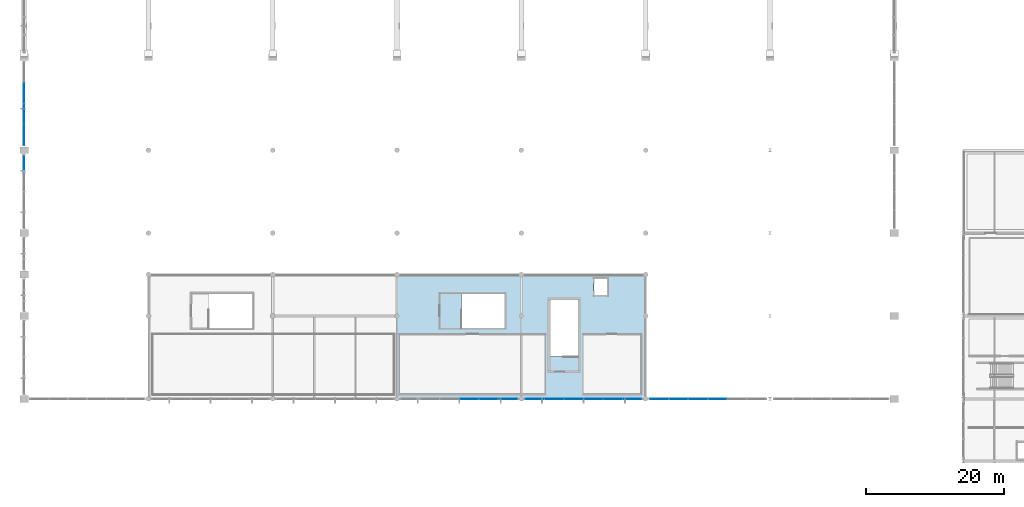
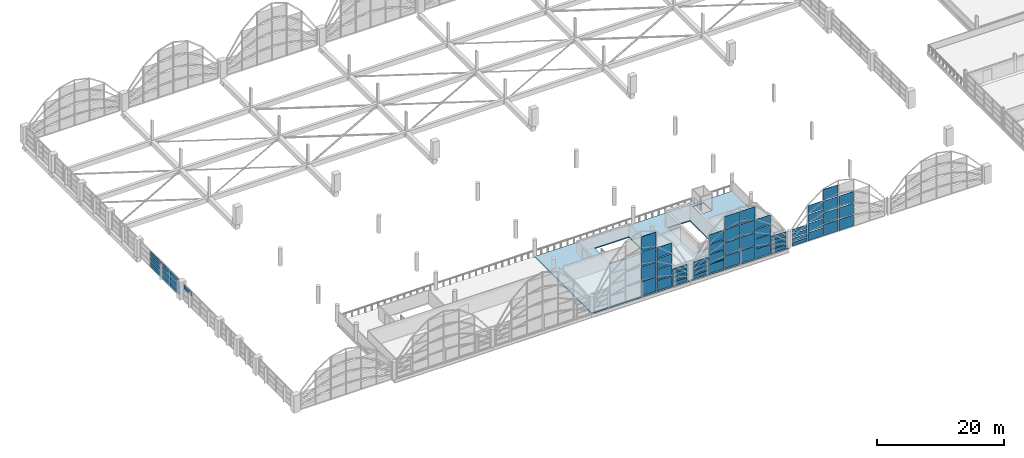
# One storey, part 85 of 116: 61 plates, 1 slab, 5 elements without a shape of their own.
"""IFC4 building model written with IfcOpenShell, lengths in metres."""

from ifc_helpers import new_model, si_unit, direction, frame, origin, origin_2d, place, context, subcontext, project, spatial, polyline, rectangle, outline, extrude, material, layer, layer_set, type_object, element, aggregate, save


model = new_model("IFC4")

# Units and contexts
model_context = context("Model", 3, precision=1e-05, world=origin(), true_north=direction((0.0, 1.0)))
body_context = subcontext(model_context, "Body", "Model", "MODEL_VIEW")
ifc_project = project(units=[si_unit("LENGTHUNIT", "METRE"), si_unit("AREAUNIT", "SQUARE_METRE"), si_unit("VOLUMEUNIT", "CUBIC_METRE"), si_unit("PLANEANGLEUNIT", "RADIAN"), si_unit("MASSUNIT", "GRAM", prefix="KILO")], contexts=[model_context])

# Site, building, storey
site_placement = place(None, origin())
site = spatial("IfcSite", under=ifc_project, at=site_placement, CompositionType="ELEMENT")
building_placement = place(site_placement, origin())
building = spatial("IfcBuilding", under=site, at=building_placement, Name="Chuanluo Vaults Station", CompositionType="ELEMENT")
storey_placement = place(building_placement, frame((0.0, 0.0, 10.800048828125)))
storey = spatial("IfcBuildingStorey", under=building, at=storey_placement, Name="L02", CompositionType="ELEMENT", Elevation=10.800048828125)

# Curtain wall, plates
ifc_material_1 = material(Name="Anodised aluminium 6063-T6", Category="aluminium")
curtain_wall_type_1 = type_object("IfcCurtainWallType", Name="CW-SYS-11", PredefinedType="NOTDEFINED", material=ifc_material_1)
curtain_wall_1_placement = place(storey_placement, origin())
curtain_wall_1 = element("IfcCurtainWall", 1, at=curtain_wall_1_placement, inside=storey, type_object=curtain_wall_type_1, Name="Train shed west clerestory CW 54", PredefinedType="NOTDEFINED")
ifc_material_2 = material(Name="Ceramic-fritted spandrel glass", Category="glass")
ifc_layer_1 = layer(ifc_material_2, 0.06396484375)
ifc_layer_set_1 = layer_set([ifc_layer_1], Name="Ceramic-fritted spandrel glass")
plate_type_1 = type_object("IfcPlateType", Name="CWP-SPN-42", PredefinedType="SHEET", material=ifc_layer_set_1)
plate_1_placement = place(storey_placement, frame((0.0, 56.193603515625, 0.080078125), z_axis=(0.0, 0.0, 1.0), x_axis=(0.0, 1.0, 0.0)))
plate_1 = element("IfcPlate", 2, at=plate_1_placement, type_object=plate_type_1, Name="Train shed west clerestory CW 54 glazed panel 1.1", PredefinedType="SHEET", context=body_context, shape_type="SweptSolid", body=[
    extrude(rectangle(XDim=2.87744140625, YDim=0.06396484375, at=origin_2d()), origin(), (0.0, 0.0, 1.0), 0.889892578125),
])
plate_2_placement = place(storey_placement, frame((0.0, 59.231201171875, 0.080078125), z_axis=(0.0, 0.0, 1.0), x_axis=(0.0, 1.0, 0.0)))
plate_2 = element("IfcPlate", 3, at=plate_2_placement, type_object=plate_type_1, Name="Train shed west clerestory CW 54 glazed panel 2.1", PredefinedType="SHEET", context=body_context, shape_type="SweptSolid", body=[
    extrude(rectangle(XDim=2.87744140625, YDim=0.06396484375, at=origin_2d()), origin(), (0.0, 0.0, 1.0), 0.889892578125),
])
plate_3_placement = place(storey_placement, frame((0.0, 62.268798828125, 0.080078125), z_axis=(0.0, 0.0, 1.0), x_axis=(0.0, 1.0, 0.0)))
plate_3 = element("IfcPlate", 4, at=plate_3_placement, type_object=plate_type_1, Name="Train shed west clerestory CW 54 glazed panel 3.1", PredefinedType="SHEET", context=body_context, shape_type="SweptSolid", body=[
    extrude(rectangle(XDim=2.87744140625, YDim=0.06396484375, at=origin_2d()), origin(), (0.0, 0.0, 1.0), 0.889892578125),
])

ifc_material_3 = material(Name="Anodised aluminium 6063-T6", Category="aluminium")
curtain_wall_type_2 = type_object("IfcCurtainWallType", Name="CW-SYS-12", PredefinedType="NOTDEFINED", material=ifc_material_3)
curtain_wall_2_placement = place(storey_placement, origin())
curtain_wall_2 = element("IfcCurtainWall", 5, at=curtain_wall_2_placement, inside=storey, type_object=curtain_wall_type_2, Name="Vault V4 south arched curtain wall", PredefinedType="NOTDEFINED")
ifc_material_4 = material(Name="Ceramic-fritted spandrel glass", Category="glass")
ifc_layer_2 = layer(ifc_material_4, 0.070068359375)
ifc_layer_set_2 = layer_set([ifc_layer_2], Name="Ceramic-fritted spandrel glass")
plate_type_2 = type_object("IfcPlateType", Name="CWP-SPN-50", PredefinedType="SHEET", material=ifc_layer_set_2)
plate_4_placement = place(storey_placement, frame((70.0625, 18.0, 0.080078125), z_axis=(0.0, 0.0, 1.0), x_axis=(-1.0, 0.0, 0.0)))
plate_4 = element("IfcPlate", 6, at=plate_4_placement, type_object=plate_type_2, Name="Vault V4 south arched curtain wall glazed panel 1.1", PredefinedType="SHEET", context=body_context, shape_type="SweptSolid", body=[
    extrude(rectangle(XDim=2.6650390625, YDim=0.070068359375, at=origin_2d()), origin(), (0.0, 0.0, 1.0), 0.677490234375),
])
plate_5_placement = place(storey_placement, frame((67.237548828125, 18.0, 0.080078125), z_axis=(0.0, 0.0, 1.0), x_axis=(-1.0, 0.0, 0.0)))
plate_5 = element("IfcPlate", 7, at=plate_5_placement, type_object=plate_type_2, Name="Vault V4 south arched curtain wall glazed panel 2.1", PredefinedType="SHEET", context=body_context, shape_type="SweptSolid", body=[
    extrude(rectangle(XDim=2.6650390625, YDim=0.070068359375, at=origin_2d()), origin(), (0.0, 0.0, 1.0), 1.962158203125),
])
plate_6_placement = place(storey_placement, frame((64.41259765625, 18.0, 0.080078125), z_axis=(0.0, 0.0, 1.0), x_axis=(-1.0, 0.0, 0.0)))
plate_6 = element("IfcPlate", 8, at=plate_6_placement, type_object=plate_type_2, Name="Vault V4 south arched curtain wall glazed panel 3.1", PredefinedType="SHEET", context=body_context, shape_type="SweptSolid", body=[
    extrude(rectangle(XDim=2.6650390625, YDim=0.070068359375, at=origin_2d()), origin(), (0.0, 0.0, 1.0), 2.73291015625),
])

ifc_material_5 = material(Name="Anodised aluminium 6063-T6", Category="aluminium")
curtain_wall_type_3 = type_object("IfcCurtainWallType", Name="CW-SYS-16", PredefinedType="NOTDEFINED", material=ifc_material_5)
curtain_wall_3_placement = place(storey_placement, origin())
curtain_wall_3 = element("IfcCurtainWall", 9, at=curtain_wall_3_placement, inside=storey, type_object=curtain_wall_type_3, Name="Vault V5 south arched curtain wall", PredefinedType="NOTDEFINED")
plate_7_placement = place(storey_placement, frame((88.0625, 18.0, 0.080078125), z_axis=(0.0, 0.0, 1.0), x_axis=(-1.0, 0.0, 0.0)))
plate_7 = element("IfcPlate", 10, at=plate_7_placement, type_object=plate_type_2, Name="Vault V5 south arched curtain wall glazed panel 1.1", PredefinedType="SHEET", context=body_context, shape_type="SweptSolid", body=[
    extrude(rectangle(XDim=2.6650390625, YDim=0.070068359375, at=origin_2d()), origin(), (0.0, 0.0, 1.0), 0.677490234375),
])
plate_8_placement = place(storey_placement, frame((85.237548828125, 18.0, 0.080078125), z_axis=(0.0, 0.0, 1.0), x_axis=(-1.0, 0.0, 0.0)))
plate_8 = element("IfcPlate", 11, at=plate_8_placement, type_object=plate_type_2, Name="Vault V5 south arched curtain wall glazed panel 2.1", PredefinedType="SHEET", context=body_context, shape_type="SweptSolid", body=[
    extrude(rectangle(XDim=2.6650390625, YDim=0.070068359375, at=origin_2d()), origin(), (0.0, 0.0, 1.0), 1.739990234375),
])
plate_9_placement = place(storey_placement, frame((82.41259765625, 18.0, 0.080078125), z_axis=(0.0, 0.0, 1.0), x_axis=(-1.0, 0.0, 0.0)))
plate_9 = element("IfcPlate", 12, at=plate_9_placement, type_object=plate_type_2, Name="Vault V5 south arched curtain wall glazed panel 3.1", PredefinedType="SHEET", context=body_context, shape_type="SweptSolid", body=[
    extrude(rectangle(XDim=2.6650390625, YDim=0.070068359375, at=origin_2d()), origin(), (0.0, 0.0, 1.0), 2.37744140625),
])
plate_10_placement = place(storey_placement, frame((79.58740234375, 18.0, 0.080078125), z_axis=(0.0, 0.0, 1.0), x_axis=(-1.0, 0.0, 0.0)))
plate_10 = element("IfcPlate", 13, at=plate_10_placement, type_object=plate_type_2, Name="Vault V5 south arched curtain wall glazed panel 4.1", PredefinedType="SHEET", context=body_context, shape_type="SweptSolid", body=[
    extrude(rectangle(XDim=2.6650390625, YDim=0.070068359375, at=origin_2d()), origin(), (0.0, 0.0, 1.0), 2.37744140625),
])
plate_11_placement = place(storey_placement, frame((76.762451171875, 18.0, 0.080078125), z_axis=(0.0, 0.0, 1.0), x_axis=(-1.0, 0.0, 0.0)))
plate_11 = element("IfcPlate", 14, at=plate_11_placement, type_object=plate_type_2, Name="Vault V5 south arched curtain wall glazed panel 5.1", PredefinedType="SHEET", context=body_context, shape_type="SweptSolid", body=[
    extrude(rectangle(XDim=2.6650390625, YDim=0.070068359375, at=origin_2d()), origin(), (0.0, 0.0, 1.0), 1.739990234375),
])
plate_12_placement = place(storey_placement, frame((73.9375, 18.0, 0.080078125), z_axis=(0.0, 0.0, 1.0), x_axis=(-1.0, 0.0, 0.0)))
plate_12 = element("IfcPlate", 15, at=plate_12_placement, type_object=plate_type_2, Name="Vault V5 south arched curtain wall glazed panel 6.1", PredefinedType="SHEET", context=body_context, shape_type="SweptSolid", body=[
    extrude(rectangle(XDim=2.6650390625, YDim=0.070068359375, at=origin_2d()), origin(), (0.0, 0.0, 1.0), 0.677490234375),
])

ifc_material_6 = material(Name="Anodised aluminium 6063-T6", Category="aluminium")
curtain_wall_type_4 = type_object("IfcCurtainWallType", Name="CW-SYS-20", PredefinedType="NOTDEFINED", material=ifc_material_6)
curtain_wall_4_placement = place(storey_placement, origin())
curtain_wall_4 = element("IfcCurtainWall", 16, at=curtain_wall_4_placement, inside=storey, type_object=curtain_wall_type_4, Name="Vault V6 south arched curtain wall", PredefinedType="NOTDEFINED")
plate_13_placement = place(storey_placement, frame((100.41259765625, 18.0, 0.079833984375), z_axis=(0.0, 0.0, 1.0), x_axis=(-1.0, 0.0, 0.0)))
plate_13 = element("IfcPlate", 17, at=plate_13_placement, type_object=plate_type_2, Name="Vault V6 south arched curtain wall glazed panel 3.1", PredefinedType="SHEET", context=body_context, shape_type="SweptSolid", body=[
    extrude(rectangle(XDim=2.6650390625, YDim=0.070068359375, at=origin_2d()), origin(), (0.0, 0.0, 1.0), 2.11083984375),
])
plate_14_placement = place(storey_placement, frame((97.58740234375, 18.0, 0.079833984375), z_axis=(0.0, 0.0, 1.0), x_axis=(-1.0, 0.0, 0.0)))
plate_14 = element("IfcPlate", 18, at=plate_14_placement, type_object=plate_type_2, Name="Vault V6 south arched curtain wall glazed panel 4.1", PredefinedType="SHEET", context=body_context, shape_type="SweptSolid", body=[
    extrude(rectangle(XDim=2.6650390625, YDim=0.070068359375, at=origin_2d()), origin(), (0.0, 0.0, 1.0), 2.11083984375),
])
plate_15_placement = place(storey_placement, frame((94.762451171875, 18.0, 0.080078125), z_axis=(0.0, 0.0, 1.0), x_axis=(-1.0, 0.0, 0.0)))
plate_15 = element("IfcPlate", 19, at=plate_15_placement, type_object=plate_type_2, Name="Vault V6 south arched curtain wall glazed panel 5.1", PredefinedType="SHEET", context=body_context, shape_type="SweptSolid", body=[
    extrude(rectangle(XDim=2.6650390625, YDim=0.070068359375, at=origin_2d()), origin(), (0.0, 0.0, 1.0), 1.5732421875),
])
plate_16_placement = place(storey_placement, frame((91.9375, 18.0, 0.080078125), z_axis=(0.0, 0.0, 1.0), x_axis=(-1.0, 0.0, 0.0)))
plate_16 = element("IfcPlate", 20, at=plate_16_placement, type_object=plate_type_2, Name="Vault V6 south arched curtain wall glazed panel 6.1", PredefinedType="SHEET", context=body_context, shape_type="SweptSolid", body=[
    extrude(rectangle(XDim=2.6650390625, YDim=0.070068359375, at=origin_2d()), origin(), (0.0, 0.0, 1.0), 0.677490234375),
])

# Plate
ifc_material_7 = material(Name="Double-silver Low-E laminated glass", Category="glass")
ifc_layer_3 = layer(ifc_material_7, 0.0439453125)
ifc_layer_set_3 = layer_set([ifc_layer_3], Name="Double-silver Low-E laminated glass")
plate_type_3 = type_object("IfcPlateType", Name="CWP-VIS-28", PredefinedType="CURTAIN_PANEL", material=ifc_layer_set_3)
plate_17_placement = place(storey_placement, frame((70.0625, 18.0, 0.91748046875), z_axis=(0.0, 0.0, 1.0), x_axis=(-1.0, 0.0, 0.0)))
plate_17 = element("IfcPlate", 21, at=plate_17_placement, type_object=plate_type_3, Name="Vault V4 south arched curtain wall glazed panel 1.2", PredefinedType="CURTAIN_PANEL", context=body_context, shape_type="SweptSolid", body=[
    extrude(rectangle(XDim=2.6650390625, YDim=0.0439453125, at=origin_2d()), origin(), (0.0, 0.0, 1.0), 0.677490234375),
])

plate_18_placement = place(storey_placement, frame((70.0625, 18.0, 1.7548828125), z_axis=(0.0, 0.0, 1.0), x_axis=(-1.0, 0.0, 0.0)))
plate_18 = element("IfcPlate", 22, at=plate_18_placement, type_object=plate_type_3, Name="Vault V4 south arched curtain wall glazed panel 1.3", PredefinedType="CURTAIN_PANEL", context=body_context, shape_type="SweptSolid", body=[
    extrude(rectangle(XDim=2.6650390625, YDim=0.0439453125, at=origin_2d()), origin(), (0.0, 0.0, 1.0), 0.677490234375),
])

plate_19_placement = place(storey_placement, frame((70.0625, 18.0, 2.59228515625), z_axis=(0.0, 0.0, 1.0), x_axis=(-1.0, 0.0, 0.0)))
plate_19 = element("IfcPlate", 23, at=plate_19_placement, type_object=plate_type_3, Name="Vault V4 south arched curtain wall glazed panel 1.4", PredefinedType="CURTAIN_PANEL", context=body_context, shape_type="SweptSolid", body=[
    extrude(rectangle(XDim=2.6650390625, YDim=0.0439453125, at=origin_2d()), origin(), (0.0, 0.0, 1.0), 0.677490234375),
])

plate_20_placement = place(storey_placement, frame((67.237548828125, 18.0, 2.2021484375), z_axis=(0.0, 0.0, 1.0), x_axis=(-1.0, 0.0, 0.0)))
plate_20 = element("IfcPlate", 24, at=plate_20_placement, type_object=plate_type_3, Name="Vault V4 south arched curtain wall glazed panel 2.2", PredefinedType="CURTAIN_PANEL", context=body_context, shape_type="SweptSolid", body=[
    extrude(rectangle(XDim=2.6650390625, YDim=0.0439453125, at=origin_2d()), origin(), (0.0, 0.0, 1.0), 1.96240234375),
])

plate_21_placement = place(storey_placement, frame((67.237548828125, 18.0, 4.32470703125), z_axis=(0.0, 0.0, 1.0), x_axis=(-1.0, 0.0, 0.0)))
plate_21 = element("IfcPlate", 25, at=plate_21_placement, type_object=plate_type_3, Name="Vault V4 south arched curtain wall glazed panel 2.3", PredefinedType="CURTAIN_PANEL", context=body_context, shape_type="SweptSolid", body=[
    extrude(rectangle(XDim=2.6650390625, YDim=0.0439453125, at=origin_2d()), origin(), (0.0, 0.0, 1.0), 1.962158203125),
])

plate_22_placement = place(storey_placement, frame((67.237548828125, 18.0, 6.44677734375), z_axis=(0.0, 0.0, 1.0), x_axis=(-1.0, 0.0, 0.0)))
plate_22 = element("IfcPlate", 26, at=plate_22_placement, type_object=plate_type_3, Name="Vault V4 south arched curtain wall glazed panel 2.4", PredefinedType="CURTAIN_PANEL", context=body_context, shape_type="SweptSolid", body=[
    extrude(rectangle(XDim=2.6650390625, YDim=0.0439453125, at=origin_2d()), origin(), (0.0, 0.0, 1.0), 1.962158203125),
])

plate_23_placement = place(storey_placement, frame((64.41259765625, 18.0, 2.97265625), z_axis=(0.0, 0.0, 1.0), x_axis=(-1.0, 0.0, 0.0)))
plate_23 = element("IfcPlate", 27, at=plate_23_placement, type_object=plate_type_3, Name="Vault V4 south arched curtain wall glazed panel 3.2", PredefinedType="CURTAIN_PANEL", context=body_context, shape_type="SweptSolid", body=[
    extrude(rectangle(XDim=2.6650390625, YDim=0.0439453125, at=origin_2d()), origin(), (0.0, 0.0, 1.0), 2.733154296875),
])

plate_24_placement = place(storey_placement, frame((64.41259765625, 18.0, 5.8662109375), z_axis=(0.0, 0.0, 1.0), x_axis=(-1.0, 0.0, 0.0)))
plate_24 = element("IfcPlate", 28, at=plate_24_placement, type_object=plate_type_3, Name="Vault V4 south arched curtain wall glazed panel 3.3", PredefinedType="CURTAIN_PANEL", context=body_context, shape_type="SweptSolid", body=[
    extrude(rectangle(XDim=2.6650390625, YDim=0.0439453125, at=origin_2d()), origin(), (0.0, 0.0, 1.0), 2.733154296875),
])

plate_25_placement = place(storey_placement, frame((64.41259765625, 18.0, 8.75927734375), z_axis=(0.0, 0.0, 1.0), x_axis=(-1.0, 0.0, 0.0)))
plate_25 = element("IfcPlate", 29, at=plate_25_placement, type_object=plate_type_3, Name="Vault V4 south arched curtain wall glazed panel 3.4", PredefinedType="CURTAIN_PANEL", context=body_context, shape_type="SweptSolid", body=[
    extrude(rectangle(XDim=2.6650390625, YDim=0.0439453125, at=origin_2d()), origin(), (0.0, 0.0, 1.0), 2.733154296875),
])

aggregate(curtain_wall_2, [plate_4, plate_17, plate_18, plate_19, plate_5, plate_20, plate_21, plate_22, plate_6, plate_23, plate_24, plate_25])

plate_26_placement = place(storey_placement, frame((88.0625, 18.0, 0.91748046875), z_axis=(0.0, 0.0, 1.0), x_axis=(-1.0, 0.0, 0.0)))
plate_26 = element("IfcPlate", 30, at=plate_26_placement, type_object=plate_type_3, Name="Vault V5 south arched curtain wall glazed panel 1.2", PredefinedType="CURTAIN_PANEL", context=body_context, shape_type="SweptSolid", body=[
    extrude(rectangle(XDim=2.6650390625, YDim=0.0439453125, at=origin_2d()), origin(), (0.0, 0.0, 1.0), 0.677490234375),
])

plate_27_placement = place(storey_placement, frame((88.0625, 18.0, 1.7548828125), z_axis=(0.0, 0.0, 1.0), x_axis=(-1.0, 0.0, 0.0)))
plate_27 = element("IfcPlate", 31, at=plate_27_placement, type_object=plate_type_3, Name="Vault V5 south arched curtain wall glazed panel 1.3", PredefinedType="CURTAIN_PANEL", context=body_context, shape_type="SweptSolid", body=[
    extrude(rectangle(XDim=2.6650390625, YDim=0.0439453125, at=origin_2d()), origin(), (0.0, 0.0, 1.0), 0.677490234375),
])

plate_28_placement = place(storey_placement, frame((88.0625, 18.0, 2.59228515625), z_axis=(0.0, 0.0, 1.0), x_axis=(-1.0, 0.0, 0.0)))
plate_28 = element("IfcPlate", 32, at=plate_28_placement, type_object=plate_type_3, Name="Vault V5 south arched curtain wall glazed panel 1.4", PredefinedType="CURTAIN_PANEL", context=body_context, shape_type="SweptSolid", body=[
    extrude(rectangle(XDim=2.6650390625, YDim=0.0439453125, at=origin_2d()), origin(), (0.0, 0.0, 1.0), 0.677490234375),
])

plate_29_placement = place(storey_placement, frame((85.237548828125, 18.0, 1.97998046875), z_axis=(0.0, 0.0, 1.0), x_axis=(-1.0, 0.0, 0.0)))
plate_29 = element("IfcPlate", 33, at=plate_29_placement, type_object=plate_type_3, Name="Vault V5 south arched curtain wall glazed panel 2.2", PredefinedType="CURTAIN_PANEL", context=body_context, shape_type="SweptSolid", body=[
    extrude(rectangle(XDim=2.6650390625, YDim=0.0439453125, at=origin_2d()), origin(), (0.0, 0.0, 1.0), 1.739990234375),
])

plate_30_placement = place(storey_placement, frame((85.237548828125, 18.0, 3.8798828125), z_axis=(0.0, 0.0, 1.0), x_axis=(-1.0, 0.0, 0.0)))
plate_30 = element("IfcPlate", 34, at=plate_30_placement, type_object=plate_type_3, Name="Vault V5 south arched curtain wall glazed panel 2.3", PredefinedType="CURTAIN_PANEL", context=body_context, shape_type="SweptSolid", body=[
    extrude(rectangle(XDim=2.6650390625, YDim=0.0439453125, at=origin_2d()), origin(), (0.0, 0.0, 1.0), 1.739990234375),
])

plate_31_placement = place(storey_placement, frame((85.237548828125, 18.0, 5.77978515625), z_axis=(0.0, 0.0, 1.0), x_axis=(-1.0, 0.0, 0.0)))
plate_31 = element("IfcPlate", 35, at=plate_31_placement, type_object=plate_type_3, Name="Vault V5 south arched curtain wall glazed panel 2.4", PredefinedType="CURTAIN_PANEL", context=body_context, shape_type="SweptSolid", body=[
    extrude(rectangle(XDim=2.6650390625, YDim=0.0439453125, at=origin_2d()), origin(), (0.0, 0.0, 1.0), 1.739990234375),
])

plate_32_placement = place(storey_placement, frame((82.41259765625, 18.0, 2.617431640625), z_axis=(0.0, 0.0, 1.0), x_axis=(-1.0, 0.0, 0.0)))
plate_32 = element("IfcPlate", 36, at=plate_32_placement, type_object=plate_type_3, Name="Vault V5 south arched curtain wall glazed panel 3.2", PredefinedType="CURTAIN_PANEL", context=body_context, shape_type="SweptSolid", body=[
    extrude(rectangle(XDim=2.6650390625, YDim=0.0439453125, at=origin_2d()), origin(), (0.0, 0.0, 1.0), 2.37744140625),
])

plate_33_placement = place(storey_placement, frame((82.41259765625, 18.0, 5.155029296875), z_axis=(0.0, 0.0, 1.0), x_axis=(-1.0, 0.0, 0.0)))
plate_33 = element("IfcPlate", 37, at=plate_33_placement, type_object=plate_type_3, Name="Vault V5 south arched curtain wall glazed panel 3.3", PredefinedType="CURTAIN_PANEL", context=body_context, shape_type="SweptSolid", body=[
    extrude(rectangle(XDim=2.6650390625, YDim=0.0439453125, at=origin_2d()), origin(), (0.0, 0.0, 1.0), 2.37744140625),
])

plate_34_placement = place(storey_placement, frame((82.41259765625, 18.0, 7.6923828125), z_axis=(0.0, 0.0, 1.0), x_axis=(-1.0, 0.0, 0.0)))
plate_34 = element("IfcPlate", 38, at=plate_34_placement, type_object=plate_type_3, Name="Vault V5 south arched curtain wall glazed panel 3.4", PredefinedType="CURTAIN_PANEL", context=body_context, shape_type="SweptSolid", body=[
    extrude(rectangle(XDim=2.6650390625, YDim=0.0439453125, at=origin_2d()), origin(), (0.0, 0.0, 1.0), 2.37744140625),
])

plate_35_placement = place(storey_placement, frame((79.58740234375, 18.0, 2.617431640625), z_axis=(0.0, 0.0, 1.0), x_axis=(-1.0, 0.0, 0.0)))
plate_35 = element("IfcPlate", 39, at=plate_35_placement, type_object=plate_type_3, Name="Vault V5 south arched curtain wall glazed panel 4.2", PredefinedType="CURTAIN_PANEL", context=body_context, shape_type="SweptSolid", body=[
    extrude(rectangle(XDim=2.6650390625, YDim=0.0439453125, at=origin_2d()), origin(), (0.0, 0.0, 1.0), 2.37744140625),
])

plate_36_placement = place(storey_placement, frame((79.58740234375, 18.0, 5.155029296875), z_axis=(0.0, 0.0, 1.0), x_axis=(-1.0, 0.0, 0.0)))
plate_36 = element("IfcPlate", 40, at=plate_36_placement, type_object=plate_type_3, Name="Vault V5 south arched curtain wall glazed panel 4.3", PredefinedType="CURTAIN_PANEL", context=body_context, shape_type="SweptSolid", body=[
    extrude(rectangle(XDim=2.6650390625, YDim=0.0439453125, at=origin_2d()), origin(), (0.0, 0.0, 1.0), 2.37744140625),
])

plate_37_placement = place(storey_placement, frame((79.58740234375, 18.0, 7.6923828125), z_axis=(0.0, 0.0, 1.0), x_axis=(-1.0, 0.0, 0.0)))
plate_37 = element("IfcPlate", 41, at=plate_37_placement, type_object=plate_type_3, Name="Vault V5 south arched curtain wall glazed panel 4.4", PredefinedType="CURTAIN_PANEL", context=body_context, shape_type="SweptSolid", body=[
    extrude(rectangle(XDim=2.6650390625, YDim=0.0439453125, at=origin_2d()), origin(), (0.0, 0.0, 1.0), 2.37744140625),
])

plate_38_placement = place(storey_placement, frame((76.762451171875, 18.0, 1.97998046875), z_axis=(0.0, 0.0, 1.0), x_axis=(-1.0, 0.0, 0.0)))
plate_38 = element("IfcPlate", 42, at=plate_38_placement, type_object=plate_type_3, Name="Vault V5 south arched curtain wall glazed panel 5.2", PredefinedType="CURTAIN_PANEL", context=body_context, shape_type="SweptSolid", body=[
    extrude(rectangle(XDim=2.6650390625, YDim=0.0439453125, at=origin_2d()), origin(), (0.0, 0.0, 1.0), 1.739990234375),
])

plate_39_placement = place(storey_placement, frame((76.762451171875, 18.0, 3.8798828125), z_axis=(0.0, 0.0, 1.0), x_axis=(-1.0, 0.0, 0.0)))
plate_39 = element("IfcPlate", 43, at=plate_39_placement, type_object=plate_type_3, Name="Vault V5 south arched curtain wall glazed panel 5.3", PredefinedType="CURTAIN_PANEL", context=body_context, shape_type="SweptSolid", body=[
    extrude(rectangle(XDim=2.6650390625, YDim=0.0439453125, at=origin_2d()), origin(), (0.0, 0.0, 1.0), 1.739990234375),
])

plate_40_placement = place(storey_placement, frame((76.762451171875, 18.0, 5.77978515625), z_axis=(0.0, 0.0, 1.0), x_axis=(-1.0, 0.0, 0.0)))
plate_40 = element("IfcPlate", 44, at=plate_40_placement, type_object=plate_type_3, Name="Vault V5 south arched curtain wall glazed panel 5.4", PredefinedType="CURTAIN_PANEL", context=body_context, shape_type="SweptSolid", body=[
    extrude(rectangle(XDim=2.6650390625, YDim=0.0439453125, at=origin_2d()), origin(), (0.0, 0.0, 1.0), 1.739990234375),
])

plate_41_placement = place(storey_placement, frame((73.9375, 18.0, 0.91748046875), z_axis=(0.0, 0.0, 1.0), x_axis=(-1.0, 0.0, 0.0)))
plate_41 = element("IfcPlate", 45, at=plate_41_placement, type_object=plate_type_3, Name="Vault V5 south arched curtain wall glazed panel 6.2", PredefinedType="CURTAIN_PANEL", context=body_context, shape_type="SweptSolid", body=[
    extrude(rectangle(XDim=2.6650390625, YDim=0.0439453125, at=origin_2d()), origin(), (0.0, 0.0, 1.0), 0.677490234375),
])

plate_42_placement = place(storey_placement, frame((73.9375, 18.0, 1.7548828125), z_axis=(0.0, 0.0, 1.0), x_axis=(-1.0, 0.0, 0.0)))
plate_42 = element("IfcPlate", 46, at=plate_42_placement, type_object=plate_type_3, Name="Vault V5 south arched curtain wall glazed panel 6.3", PredefinedType="CURTAIN_PANEL", context=body_context, shape_type="SweptSolid", body=[
    extrude(rectangle(XDim=2.6650390625, YDim=0.0439453125, at=origin_2d()), origin(), (0.0, 0.0, 1.0), 0.677490234375),
])

plate_43_placement = place(storey_placement, frame((73.9375, 18.0, 2.59228515625), z_axis=(0.0, 0.0, 1.0), x_axis=(-1.0, 0.0, 0.0)))
plate_43 = element("IfcPlate", 47, at=plate_43_placement, type_object=plate_type_3, Name="Vault V5 south arched curtain wall glazed panel 6.4", PredefinedType="CURTAIN_PANEL", context=body_context, shape_type="SweptSolid", body=[
    extrude(rectangle(XDim=2.6650390625, YDim=0.0439453125, at=origin_2d()), origin(), (0.0, 0.0, 1.0), 0.677490234375),
])

aggregate(curtain_wall_3, [plate_7, plate_26, plate_27, plate_28, plate_8, plate_29, plate_30, plate_31, plate_9, plate_32, plate_33, plate_34, plate_10, plate_35, plate_36, plate_37, plate_11, plate_38, plate_39, plate_40, plate_12, plate_41, plate_42, plate_43])

plate_44_placement = place(storey_placement, frame((100.41259765625, 18.0, 2.350830078125), z_axis=(0.0, 0.0, 1.0), x_axis=(-1.0, 0.0, 0.0)))
plate_44 = element("IfcPlate", 48, at=plate_44_placement, type_object=plate_type_3, Name="Vault V6 south arched curtain wall glazed panel 3.2", PredefinedType="CURTAIN_PANEL", context=body_context, shape_type="SweptSolid", body=[
    extrude(rectangle(XDim=2.6650390625, YDim=0.0439453125, at=origin_2d()), origin(), (0.0, 0.0, 1.0), 2.11083984375),
])

plate_45_placement = place(storey_placement, frame((100.41259765625, 18.0, 4.62158203125), z_axis=(0.0, 0.0, 1.0), x_axis=(-1.0, 0.0, 0.0)))
plate_45 = element("IfcPlate", 49, at=plate_45_placement, type_object=plate_type_3, Name="Vault V6 south arched curtain wall glazed panel 3.3", PredefinedType="CURTAIN_PANEL", context=body_context, shape_type="SweptSolid", body=[
    extrude(rectangle(XDim=2.6650390625, YDim=0.0439453125, at=origin_2d()), origin(), (0.0, 0.0, 1.0), 2.11083984375),
])

plate_46_placement = place(storey_placement, frame((97.58740234375, 18.0, 2.350830078125), z_axis=(0.0, 0.0, 1.0), x_axis=(-1.0, 0.0, 0.0)))
plate_46 = element("IfcPlate", 50, at=plate_46_placement, type_object=plate_type_3, Name="Vault V6 south arched curtain wall glazed panel 4.2", PredefinedType="CURTAIN_PANEL", context=body_context, shape_type="SweptSolid", body=[
    extrude(rectangle(XDim=2.6650390625, YDim=0.0439453125, at=origin_2d()), origin(), (0.0, 0.0, 1.0), 2.11083984375),
])

plate_47_placement = place(storey_placement, frame((97.58740234375, 18.0, 4.62158203125), z_axis=(0.0, 0.0, 1.0), x_axis=(-1.0, 0.0, 0.0)))
plate_47 = element("IfcPlate", 51, at=plate_47_placement, type_object=plate_type_3, Name="Vault V6 south arched curtain wall glazed panel 4.3", PredefinedType="CURTAIN_PANEL", context=body_context, shape_type="SweptSolid", body=[
    extrude(rectangle(XDim=2.6650390625, YDim=0.0439453125, at=origin_2d()), origin(), (0.0, 0.0, 1.0), 2.11083984375),
])

plate_48_placement = place(storey_placement, frame((97.58740234375, 18.0, 6.892333984375), z_axis=(0.0, 0.0, 1.0), x_axis=(-1.0, 0.0, 0.0)))
plate_48 = element("IfcPlate", 52, at=plate_48_placement, type_object=plate_type_3, Name="Vault V6 south arched curtain wall glazed panel 4.4", PredefinedType="CURTAIN_PANEL", context=body_context, shape_type="SweptSolid", body=[
    extrude(rectangle(XDim=2.6650390625, YDim=0.0439453125, at=origin_2d()), origin(), (0.0, 0.0, 1.0), 2.11083984375),
])

plate_49_placement = place(storey_placement, frame((94.762451171875, 18.0, 1.81298828125), z_axis=(0.0, 0.0, 1.0), x_axis=(-1.0, 0.0, 0.0)))
plate_49 = element("IfcPlate", 53, at=plate_49_placement, type_object=plate_type_3, Name="Vault V6 south arched curtain wall glazed panel 5.2", PredefinedType="CURTAIN_PANEL", context=body_context, shape_type="SweptSolid", body=[
    extrude(rectangle(XDim=2.6650390625, YDim=0.0439453125, at=origin_2d()), origin(), (0.0, 0.0, 1.0), 1.573486328125),
])

plate_50_placement = place(storey_placement, frame((94.762451171875, 18.0, 3.546630859375), z_axis=(0.0, 0.0, 1.0), x_axis=(-1.0, 0.0, 0.0)))
plate_50 = element("IfcPlate", 54, at=plate_50_placement, type_object=plate_type_3, Name="Vault V6 south arched curtain wall glazed panel 5.3", PredefinedType="CURTAIN_PANEL", context=body_context, shape_type="SweptSolid", body=[
    extrude(rectangle(XDim=2.6650390625, YDim=0.0439453125, at=origin_2d()), origin(), (0.0, 0.0, 1.0), 1.5732421875),
])

plate_51_placement = place(storey_placement, frame((94.762451171875, 18.0, 5.280029296875), z_axis=(0.0, 0.0, 1.0), x_axis=(-1.0, 0.0, 0.0)))
plate_51 = element("IfcPlate", 55, at=plate_51_placement, type_object=plate_type_3, Name="Vault V6 south arched curtain wall glazed panel 5.4", PredefinedType="CURTAIN_PANEL", context=body_context, shape_type="SweptSolid", body=[
    extrude(rectangle(XDim=2.6650390625, YDim=0.0439453125, at=origin_2d()), origin(), (0.0, 0.0, 1.0), 1.5732421875),
])

plate_52_placement = place(storey_placement, frame((91.9375, 18.0, 0.91748046875), z_axis=(0.0, 0.0, 1.0), x_axis=(-1.0, 0.0, 0.0)))
plate_52 = element("IfcPlate", 56, at=plate_52_placement, type_object=plate_type_3, Name="Vault V6 south arched curtain wall glazed panel 6.2", PredefinedType="CURTAIN_PANEL", context=body_context, shape_type="SweptSolid", body=[
    extrude(rectangle(XDim=2.6650390625, YDim=0.0439453125, at=origin_2d()), origin(), (0.0, 0.0, 1.0), 0.677490234375),
])

plate_53_placement = place(storey_placement, frame((91.9375, 18.0, 1.7548828125), z_axis=(0.0, 0.0, 1.0), x_axis=(-1.0, 0.0, 0.0)))
plate_53 = element("IfcPlate", 57, at=plate_53_placement, type_object=plate_type_3, Name="Vault V6 south arched curtain wall glazed panel 6.3", PredefinedType="CURTAIN_PANEL", context=body_context, shape_type="SweptSolid", body=[
    extrude(rectangle(XDim=2.6650390625, YDim=0.0439453125, at=origin_2d()), origin(), (0.0, 0.0, 1.0), 0.677490234375),
])

plate_54_placement = place(storey_placement, frame((91.9375, 18.0, 2.59228515625), z_axis=(0.0, 0.0, 1.0), x_axis=(-1.0, 0.0, 0.0)))
plate_54 = element("IfcPlate", 58, at=plate_54_placement, type_object=plate_type_3, Name="Vault V6 south arched curtain wall glazed panel 6.4", PredefinedType="CURTAIN_PANEL", context=body_context, shape_type="SweptSolid", body=[
    extrude(rectangle(XDim=2.6650390625, YDim=0.0439453125, at=origin_2d()), origin(), (0.0, 0.0, 1.0), 0.677490234375),
])

aggregate(curtain_wall_4, [plate_13, plate_44, plate_45, plate_14, plate_46, plate_47, plate_48, plate_15, plate_49, plate_50, plate_51, plate_16, plate_52, plate_53, plate_54])

# Curtain wall, plate
ifc_material_8 = material(Name="Anodised aluminium 6063-T6", Category="aluminium")
curtain_wall_type_5 = type_object("IfcCurtainWallType", Name="CW-SYS-07", PredefinedType="NOTDEFINED", material=ifc_material_8)
curtain_wall_5_placement = place(storey_placement, origin())
curtain_wall_5 = element("IfcCurtainWall", 59, at=curtain_wall_5_placement, inside=storey, type_object=curtain_wall_type_5, Name="Train shed west clerestory CW 42", PredefinedType="NOTDEFINED")
ifc_material_9 = material(Name="Double-silver Low-E laminated glass", Category="glass")
ifc_layer_4 = layer(ifc_material_9, 0.048095703125)
ifc_layer_set_4 = layer_set([ifc_layer_4], Name="Double-silver Low-E laminated glass")
plate_type_4 = type_object("IfcPlateType", Name="CWP-VIS-32", PredefinedType="CURTAIN_PANEL", material=ifc_layer_set_4)
plate_55_placement = place(storey_placement, frame((0.0, 51.993896484375, 2.18017578125), z_axis=(0.0, 0.0, 1.0), x_axis=(0.0, 1.0, 0.0)))
plate_55 = element("IfcPlate", 60, at=plate_55_placement, type_object=plate_type_4, Name="Train shed west clerestory CW 42 glazed panel 4.3", PredefinedType="CURTAIN_PANEL", context=body_context, shape_type="SweptSolid", body=[
    extrude(rectangle(XDim=2.50244140625, YDim=0.048095703125, at=origin_2d()), origin(), (0.0, 0.0, 1.0), 0.889892578125),
])
aggregate(curtain_wall_5, [plate_55])

# Plate
plate_56_placement = place(storey_placement, frame((0.0, 56.193603515625, 1.1298828125), z_axis=(0.0, 0.0, 1.0), x_axis=(0.0, 1.0, 0.0)))
plate_56 = element("IfcPlate", 61, at=plate_56_placement, type_object=plate_type_4, Name="Train shed west clerestory CW 54 glazed panel 1.2", PredefinedType="CURTAIN_PANEL", context=body_context, shape_type="SweptSolid", body=[
    extrude(rectangle(XDim=2.87744140625, YDim=0.048095703125, at=origin_2d()), origin(), (0.0, 0.0, 1.0), 0.889892578125),
])

plate_57_placement = place(storey_placement, frame((0.0, 56.193603515625, 2.18017578125), z_axis=(0.0, 0.0, 1.0), x_axis=(0.0, 1.0, 0.0)))
plate_57 = element("IfcPlate", 62, at=plate_57_placement, type_object=plate_type_4, Name="Train shed west clerestory CW 54 glazed panel 1.3", PredefinedType="CURTAIN_PANEL", context=body_context, shape_type="SweptSolid", body=[
    extrude(rectangle(XDim=2.87744140625, YDim=0.048095703125, at=origin_2d()), origin(), (0.0, 0.0, 1.0), 0.889892578125),
])

plate_58_placement = place(storey_placement, frame((0.0, 59.231201171875, 1.1298828125), z_axis=(0.0, 0.0, 1.0), x_axis=(0.0, 1.0, 0.0)))
plate_58 = element("IfcPlate", 63, at=plate_58_placement, type_object=plate_type_4, Name="Train shed west clerestory CW 54 glazed panel 2.2", PredefinedType="CURTAIN_PANEL", context=body_context, shape_type="SweptSolid", body=[
    extrude(rectangle(XDim=2.87744140625, YDim=0.048095703125, at=origin_2d()), origin(), (0.0, 0.0, 1.0), 0.889892578125),
])

plate_59_placement = place(storey_placement, frame((0.0, 59.231201171875, 2.18017578125), z_axis=(0.0, 0.0, 1.0), x_axis=(0.0, 1.0, 0.0)))
plate_59 = element("IfcPlate", 64, at=plate_59_placement, type_object=plate_type_4, Name="Train shed west clerestory CW 54 glazed panel 2.3", PredefinedType="CURTAIN_PANEL", context=body_context, shape_type="SweptSolid", body=[
    extrude(rectangle(XDim=2.87744140625, YDim=0.048095703125, at=origin_2d()), origin(), (0.0, 0.0, 1.0), 0.889892578125),
])

plate_60_placement = place(storey_placement, frame((0.0, 62.268798828125, 1.1298828125), z_axis=(0.0, 0.0, 1.0), x_axis=(0.0, 1.0, 0.0)))
plate_60 = element("IfcPlate", 65, at=plate_60_placement, type_object=plate_type_4, Name="Train shed west clerestory CW 54 glazed panel 3.2", PredefinedType="CURTAIN_PANEL", context=body_context, shape_type="SweptSolid", body=[
    extrude(rectangle(XDim=2.87744140625, YDim=0.048095703125, at=origin_2d()), origin(), (0.0, 0.0, 1.0), 0.889892578125),
])

plate_61_placement = place(storey_placement, frame((0.0, 62.268798828125, 2.18017578125), z_axis=(0.0, 0.0, 1.0), x_axis=(0.0, 1.0, 0.0)))
plate_61 = element("IfcPlate", 66, at=plate_61_placement, type_object=plate_type_4, Name="Train shed west clerestory CW 54 glazed panel 3.3", PredefinedType="CURTAIN_PANEL", context=body_context, shape_type="SweptSolid", body=[
    extrude(rectangle(XDim=2.87744140625, YDim=0.048095703125, at=origin_2d()), origin(), (0.0, 0.0, 1.0), 0.889892578125),
])

aggregate(curtain_wall_1, [plate_1, plate_56, plate_57, plate_2, plate_58, plate_59, plate_3, plate_60, plate_61])

# Slab
ifc_material_10 = material(Name="Concrete C40", Category="concrete")
ifc_layer_5 = layer(ifc_material_10, 0.219970703125)
ifc_layer_set_5 = layer_set([ifc_layer_5], Name="Concrete C40")
slab_type = type_object("IfcSlabType", Name="SLB-OPS-220", PredefinedType="FLOOR", material=ifc_layer_set_5)
slab_placement = place(storey_placement, frame((0.0, 0.0, -0.219970703125)))
element("IfcSlab", 67, at=slab_placement, inside=storey, type_object=slab_type, Name="L02 MEZZ slab 02", PredefinedType="FLOOR", context=body_context, shape_type="SweptSolid", body=[
    extrude(outline(polyline([(54.0, 18.0), (90.0, 18.0), (90.0, 36.0), (54.0, 36.0), (54.0, 18.0)]), holes=[polyline([(80.1875, 24.12890625), (80.1875, 32.300048828125), (76.1875, 32.300048828125), (76.1875, 24.12890625), (80.1875, 24.12890625)]), polyline([(63.35400390625, 28.25), (69.625, 28.25), (69.625, 33.25), (63.35400390625, 33.25), (63.35400390625, 28.25)]), polyline([(82.47998046875, 32.929931640625), (84.52001953125, 32.929931640625), (84.52001953125, 35.469970703125), (82.47998046875, 35.469970703125), (82.47998046875, 32.929931640625)])]), origin(), (0.0, 0.0, 1.0), 0.219970703125),
])

save(model, "model.ifc")
